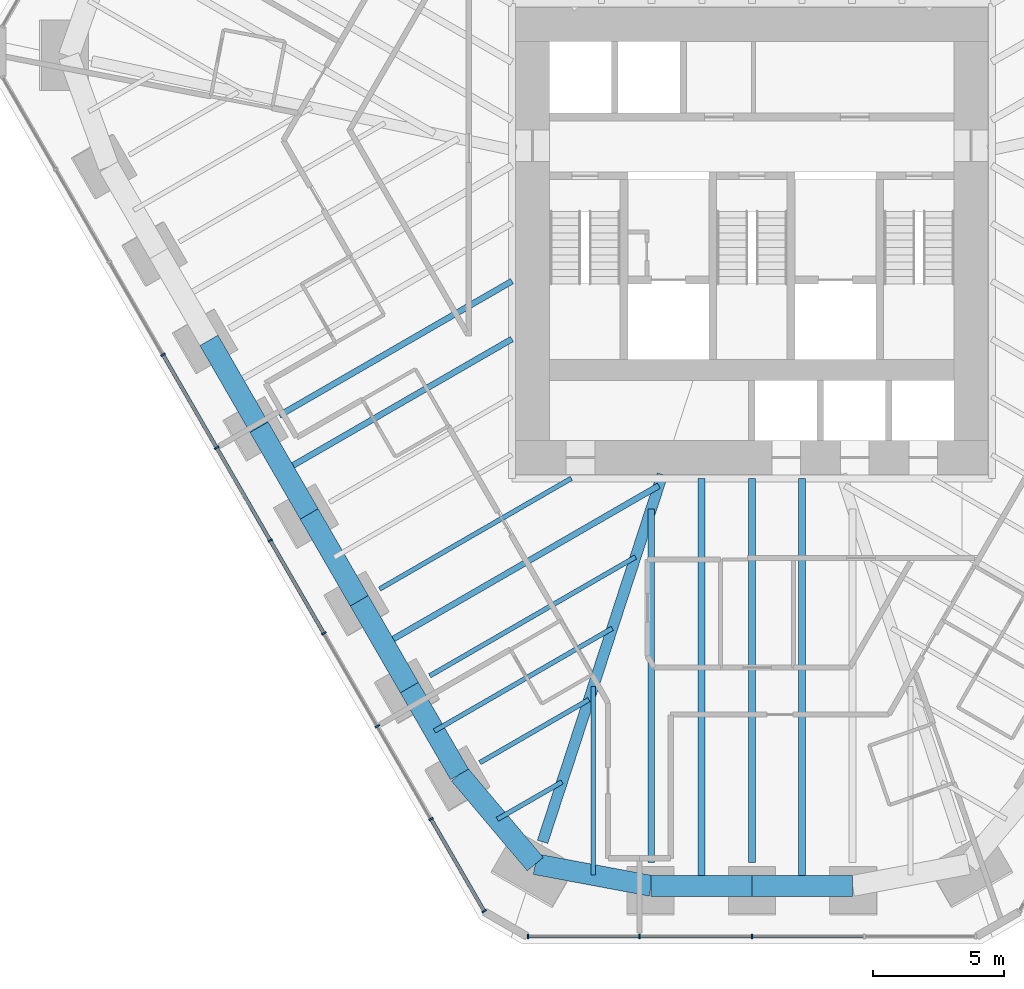
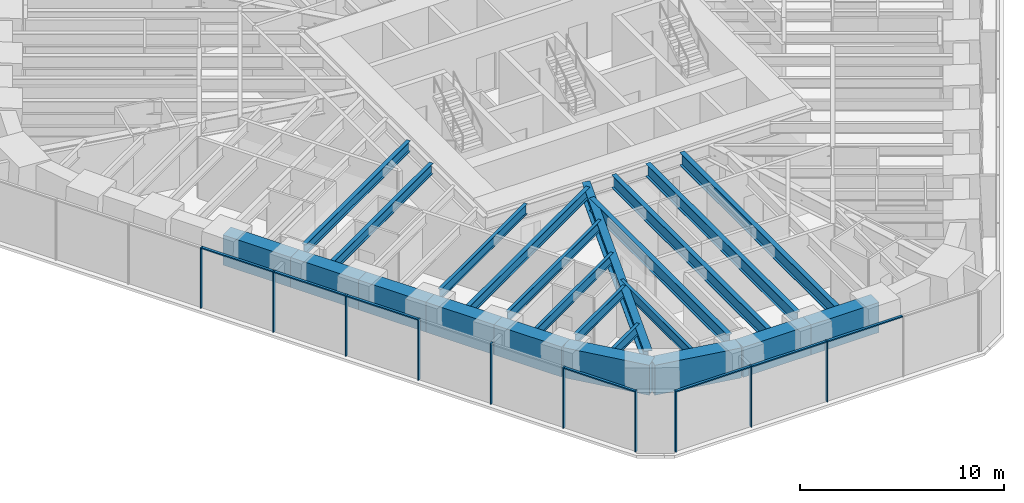
# One storey, part 2 of 18: 23 beams, 17 members, 2 elements without a shape of their own.
"""IFC4 building model written with IfcOpenShell, lengths in metres."""

from ifc_helpers import new_model, si_unit, direction, frame, origin, origin_2d, place, context, subcontext, project, spatial, rectangle, i_section, extrude, material, material_profile, profile_set, type_object, element, aggregate, save


model = new_model("IFC4")

# Units and contexts
model_context = context("Model", 3, precision=1e-05, world=origin(), true_north=direction((0.0, 1.0)))
body_context = subcontext(model_context, "Body", "Model", "MODEL_VIEW")
ifc_project = project(units=[si_unit("LENGTHUNIT", "METRE"), si_unit("AREAUNIT", "SQUARE_METRE"), si_unit("VOLUMEUNIT", "CUBIC_METRE"), si_unit("PLANEANGLEUNIT", "RADIAN"), si_unit("MASSUNIT", "GRAM", prefix="KILO")], contexts=[model_context])

# Site, building, storey
site_placement = place(None, origin())
site = spatial("IfcSite", under=ifc_project, at=site_placement, CompositionType="ELEMENT")
building_placement = place(site_placement, origin())
building = spatial("IfcBuilding", under=site, at=building_placement, Name="Sandreach Pilgrim Tower", CompositionType="ELEMENT")
storey_placement = place(building_placement, frame((0.0, 0.0, 157.60009765625)))
storey = spatial("IfcBuildingStorey", under=building, at=storey_placement, Name="L39", CompositionType="ELEMENT", Elevation=157.60009765625)

# Curtain wall, members
ifc_material_1 = material(Name="Aluminium framed curtain wall", Category="aluminium")
curtain_wall_type = type_object("IfcCurtainWallType", Name="Hotel tower curtain wall", PredefinedType="NOTDEFINED", material=ifc_material_1)
curtain_wall_1_placement = place(storey_placement, origin())
curtain_wall_1 = element("IfcCurtainWall", 1, at=curtain_wall_1_placement, inside=storey, type_object=curtain_wall_type, Name="CW-2 L39 S", PredefinedType="NOTDEFINED")
ifc_material_2 = material(Name="Aluminium extrusion", Category="aluminium")
ifc_material_profile_1 = material_profile(ifc_material_2, rectangle(XDim=0.06494140625, YDim=0.179931640625, at=origin_2d()), Name="CW-2M 65X180")
ifc_profile_set_1 = profile_set([ifc_material_profile_1], Name="Aluminium extrusion")
member_type_1 = type_object("IfcMemberType", Name="CW-2 mullion", PredefinedType="MULLION", material=ifc_profile_set_1)
member_1_placement = place(storey_placement, frame((0.0, -28.192138671875, 0.0), z_axis=(0.0, 0.0, 1.0), x_axis=(-1.0, 0.0, 0.0)))
member_1 = element("IfcMember", 2, at=member_1_placement, type_object=member_type_1, Name="CW-2 mullion 3", PredefinedType="MULLION", context=body_context, shape_type="SweptSolid", body=[
    extrude(rectangle(XDim=0.06494140625, YDim=0.179931640625, at=origin_2d()), origin(), (0.0, 0.0, 1.0), 3.639892578125),
])
member_2_placement = place(storey_placement, frame((-4.3056640625, -28.192138671875, 0.0), z_axis=(0.0, 0.0, 1.0), x_axis=(-1.0, 0.0, 0.0)))
member_2 = element("IfcMember", 3, at=member_2_placement, type_object=member_type_1, Name="CW-2 mullion 4", PredefinedType="MULLION", context=body_context, shape_type="SweptSolid", body=[
    extrude(rectangle(XDim=0.06494140625, YDim=0.179931640625, at=origin_2d()), origin(), (0.0, 0.0, 1.0), 3.639892578125),
])
member_3_placement = place(storey_placement, frame((-8.578857421875, -28.192138671875, 0.0), z_axis=(0.0, 0.0, 1.0), x_axis=(-1.0, 0.0, 0.0)))
member_3 = element("IfcMember", 4, at=member_3_placement, type_object=member_type_1, Name="CW-2 mullion 5", PredefinedType="MULLION", context=body_context, shape_type="SweptSolid", body=[
    extrude(rectangle(XDim=0.06494140625, YDim=0.179931640625, at=origin_2d()), origin(), (0.0, 0.0, 1.0), 3.639892578125),
])

curtain_wall_2_placement = place(storey_placement, origin())
curtain_wall_2 = element("IfcCurtainWall", 5, at=curtain_wall_2_placement, inside=storey, type_object=curtain_wall_type, Name="CW-2 L39 SW", PredefinedType="NOTDEFINED")
member_4_placement = place(storey_placement, frame((-10.255859375, -27.22412109375, 0.0), z_axis=(0.0, 0.0, 1.0), x_axis=(-0.5, 0.866025403784, 0.0)))
member_4 = element("IfcMember", 6, at=member_4_placement, type_object=member_type_1, Name="CW-2 mullion 1", PredefinedType="MULLION", context=body_context, shape_type="SweptSolid", body=[
    extrude(rectangle(XDim=0.06494140625, YDim=0.179931640625, at=origin_2d()), origin(), (0.0, 0.0, 1.0), 3.639892578125),
])
member_5_placement = place(storey_placement, frame((-12.29296875, -23.695556640625, 0.0), z_axis=(0.0, 0.0, 1.0), x_axis=(-0.5, 0.866025403784, 0.0)))
member_5 = element("IfcMember", 7, at=member_5_placement, type_object=member_type_1, Name="CW-2 mullion 2", PredefinedType="MULLION", context=body_context, shape_type="SweptSolid", body=[
    extrude(rectangle(XDim=0.06494140625, YDim=0.179931640625, at=origin_2d()), origin(), (0.0, 0.0, 1.0), 3.639892578125),
])
member_6_placement = place(storey_placement, frame((-14.346435546875, -20.138671875, 0.0), z_axis=(0.0, 0.0, 1.0), x_axis=(-0.5, 0.866025403784, 0.0)))
member_6 = element("IfcMember", 8, at=member_6_placement, type_object=member_type_1, Name="CW-2 mullion 3", PredefinedType="MULLION", context=body_context, shape_type="SweptSolid", body=[
    extrude(rectangle(XDim=0.06494140625, YDim=0.179931640625, at=origin_2d()), origin(), (0.0, 0.0, 1.0), 3.639892578125),
])
member_7_placement = place(storey_placement, frame((-16.39990234375, -16.58203125, 0.0), z_axis=(0.0, 0.0, 1.0), x_axis=(-0.5, 0.866025403784, 0.0)))
member_7 = element("IfcMember", 9, at=member_7_placement, type_object=member_type_1, Name="CW-2 mullion 4", PredefinedType="MULLION", context=body_context, shape_type="SweptSolid", body=[
    extrude(rectangle(XDim=0.06494140625, YDim=0.179931640625, at=origin_2d()), origin(), (0.0, 0.0, 1.0), 3.639892578125),
])
member_8_placement = place(storey_placement, frame((-18.453369140625, -13.025146484375, 0.0), z_axis=(0.0, 0.0, 1.0), x_axis=(-0.5, 0.866025403784, 0.0)))
member_8 = element("IfcMember", 10, at=member_8_placement, type_object=member_type_1, Name="CW-2 mullion 5", PredefinedType="MULLION", context=body_context, shape_type="SweptSolid", body=[
    extrude(rectangle(XDim=0.06494140625, YDim=0.179931640625, at=origin_2d()), origin(), (0.0, 0.0, 1.0), 3.639892578125),
])
member_9_placement = place(storey_placement, frame((-20.5068359375, -9.468505859375, 0.0), z_axis=(0.0, 0.0, 1.0), x_axis=(-0.5, 0.866025403784, 0.0)))
member_9 = element("IfcMember", 11, at=member_9_placement, type_object=member_type_1, Name="CW-2 mullion 6", PredefinedType="MULLION", context=body_context, shape_type="SweptSolid", body=[
    extrude(rectangle(XDim=0.06494140625, YDim=0.179931640625, at=origin_2d()), origin(), (0.0, 0.0, 1.0), 3.639892578125),
])
member_10_placement = place(storey_placement, frame((-22.560302734375, -5.911865234375, 0.0), z_axis=(0.0, 0.0, 1.0), x_axis=(-0.5, 0.866025403784, 0.0)))
member_10 = element("IfcMember", 12, at=member_10_placement, type_object=member_type_1, Name="CW-2 mullion 7", PredefinedType="MULLION", context=body_context, shape_type="SweptSolid", body=[
    extrude(rectangle(XDim=0.06494140625, YDim=0.179931640625, at=origin_2d()), origin(), (0.0, 0.0, 1.0), 3.639892578125),
])

# Member
ifc_material_3 = material(Name="Aluminium extrusion", Category="aluminium")
ifc_material_profile_2 = material_profile(ifc_material_3, rectangle(XDim=0.139892578125, YDim=0.070068359375, at=origin_2d()), Name="CW-2T 140X70")
ifc_profile_set_2 = profile_set([ifc_material_profile_2], Name="Aluminium extrusion")
member_type_2 = type_object("IfcMemberType", Name="CW-2 transom", PredefinedType="USERDEFINED", material=ifc_profile_set_2)
member_11_placement = place(storey_placement, frame((4.273193359375, -28.192138671875, 3.60498046875), z_axis=(-1.0, 0.0, 0.0), x_axis=(0.0, -1.0, 0.0)))
member_11 = element("IfcMember", 13, at=member_11_placement, type_object=member_type_2, Name="CW-2 head transom 2", ObjectType="TRANSOM", PredefinedType="USERDEFINED", context=body_context, shape_type="SweptSolid", body=[
    extrude(rectangle(XDim=0.139892578125, YDim=0.070068359375, at=origin_2d()), origin(), (0.0, 0.0, 1.0), 4.24072265625),
])

member_12_placement = place(storey_placement, frame((-0.032470703125, -28.192138671875, 3.60498046875), z_axis=(-1.0, 0.0, 0.0), x_axis=(0.0, -1.0, 0.0)))
member_12 = element("IfcMember", 14, at=member_12_placement, type_object=member_type_2, Name="CW-2 head transom 3", ObjectType="TRANSOM", PredefinedType="USERDEFINED", context=body_context, shape_type="SweptSolid", body=[
    extrude(rectangle(XDim=0.139892578125, YDim=0.070068359375, at=origin_2d()), origin(), (0.0, 0.0, 1.0), 4.24072265625),
])

member_13_placement = place(storey_placement, frame((-4.338134765625, -28.192138671875, 3.60498046875), z_axis=(-1.0, 0.0, 0.0), x_axis=(0.0, -1.0, 0.0)))
member_13 = element("IfcMember", 15, at=member_13_placement, type_object=member_type_2, Name="CW-2 head transom 4", ObjectType="TRANSOM", PredefinedType="USERDEFINED", context=body_context, shape_type="SweptSolid", body=[
    extrude(rectangle(XDim=0.139892578125, YDim=0.070068359375, at=origin_2d()), origin(), (0.0, 0.0, 1.0), 4.208251953125),
])

aggregate(curtain_wall_1, [member_1, member_2, member_3, member_11, member_12, member_13])

member_14_placement = place(storey_placement, frame((-10.27197265625, -27.196044921875, 3.60498046875), z_axis=(-0.500015851672, 0.866016251624, 0.0), x_axis=(-0.866016251624, -0.500015851672, 0.0)))
member_14 = element("IfcMember", 16, at=member_14_placement, type_object=member_type_2, Name="CW-2 head transom 1", ObjectType="TRANSOM", PredefinedType="USERDEFINED", context=body_context, shape_type="SweptSolid", body=[
    extrude(rectangle(XDim=0.139892578125, YDim=0.070068359375, at=origin_2d()), origin(), (0.0, 0.0, 1.0), 4.009521484375),
])

member_15_placement = place(storey_placement, frame((-16.416259765625, -16.553955078125, 3.60498046875), z_axis=(-0.499997818338, 0.866026663364, 0.0), x_axis=(-0.866026663364, -0.499997818338, 0.0)))
member_15 = element("IfcMember", 17, at=member_15_placement, type_object=member_type_2, Name="CW-2 head transom 4", ObjectType="TRANSOM", PredefinedType="USERDEFINED", context=body_context, shape_type="SweptSolid", body=[
    extrude(rectangle(XDim=0.139892578125, YDim=0.070068359375, at=origin_2d()), origin(), (0.0, 0.0, 1.0), 4.0419921875),
])

member_16_placement = place(storey_placement, frame((-18.4697265625, -12.9970703125, 3.60498046875), z_axis=(-0.499997818338, 0.866026663364, 0.0), x_axis=(-0.866026663364, -0.499997818338, 0.0)))
member_16 = element("IfcMember", 18, at=member_16_placement, type_object=member_type_2, Name="CW-2 head transom 5", ObjectType="TRANSOM", PredefinedType="USERDEFINED", context=body_context, shape_type="SweptSolid", body=[
    extrude(rectangle(XDim=0.139892578125, YDim=0.070068359375, at=origin_2d()), origin(), (0.0, 0.0, 1.0), 4.0419921875),
])

member_17_placement = place(storey_placement, frame((-20.523193359375, -9.4404296875, 3.60498046875), z_axis=(-0.499997818338, 0.866026663364, 0.0), x_axis=(-0.866026663364, -0.499997818338, 0.0)))
member_17 = element("IfcMember", 19, at=member_17_placement, type_object=member_type_2, Name="CW-2 head transom 6", ObjectType="TRANSOM", PredefinedType="USERDEFINED", context=body_context, shape_type="SweptSolid", body=[
    extrude(rectangle(XDim=0.139892578125, YDim=0.070068359375, at=origin_2d()), origin(), (0.0, 0.0, 1.0), 4.0419921875),
])

aggregate(curtain_wall_2, [member_4, member_5, member_6, member_7, member_8, member_9, member_10, member_14, member_15, member_16, member_17])

# Beams
ifc_material_4 = material(Name="Steel ASTM A992 Grade 50", Category="steel")
ifc_material_profile_3 = material_profile(ifc_material_4, i_section(OverallWidth=0.419189453125, OverallDepth=0.927001953125, WebThickness=0.019287109375, FlangeThickness=0.031982421875, at=origin_2d()), Name="W36X231")
ifc_profile_set_3 = profile_set([ifc_material_profile_3], Name="Steel ASTM A992 Grade 50")
beam_type_1 = type_object("IfcBeamType", Name="Corner girder W36X231", PredefinedType="BEAM", material=ifc_profile_set_3)
beam_1_placement = place(storey_placement, frame((-8.0205078125, -24.57080078125, 3.17626953125), z_axis=(0.310308394945, 0.950635945053, 0.0), x_axis=(-0.950635945053, 0.310308394945, 0.0)))
element("IfcBeam", 20, at=beam_1_placement, inside=storey, type_object=beam_type_1, Name="BM L39 CG26", PredefinedType="BEAM", context=body_context, shape_type="SweptSolid", body=[
    extrude(i_section(OverallWidth=0.419189453125, OverallDepth=0.927001953125, WebThickness=0.019287109375, FlangeThickness=0.031982421875, at=origin_2d()), origin(), (0.0, 0.0, 1.0), 14.801513671875),
])
ifc_material_5 = material(Name="Steel ASTM A992 Grade 50", Category="steel")
ifc_material_profile_4 = material_profile(ifc_material_5, i_section(OverallWidth=0.1787109375, OverallDepth=0.60205078125, WebThickness=0.010986328125, FlangeThickness=0.014892578125, at=origin_2d()), Name="W24X62")
ifc_profile_set_4 = profile_set([ifc_material_profile_4], Name="Steel ASTM A992 Grade 50")
beam_type_2 = type_object("IfcBeamType", Name="Floor beam W24X62", PredefinedType="BEAM", material=ifc_profile_set_4)
beam_2_placement = place(storey_placement, frame((-10.4228515625, -21.536376953125, 3.3388671875), z_axis=(0.866037360815, 0.499979289244, 0.0), x_axis=(-0.499979289244, 0.866037360815, 0.0)))
element("IfcBeam", 21, at=beam_2_placement, inside=storey, type_object=beam_type_2, Name="BM L39 F27", PredefinedType="BEAM", context=body_context, shape_type="SweptSolid", body=[
    extrude(i_section(OverallWidth=0.1787109375, OverallDepth=0.60205078125, WebThickness=0.010986328125, FlangeThickness=0.014892578125, at=origin_2d()), origin(), (0.0, 0.0, 1.0), 4.827392578125),
])
beam_3_placement = place(storey_placement, frame((-12.3427734375, -18.2109375, 3.3388671875), z_axis=(0.866029726416, 0.499992512907, 0.0), x_axis=(-0.499992512907, 0.866029726416, 0.0)))
element("IfcBeam", 22, at=beam_3_placement, inside=storey, type_object=beam_type_2, Name="BM L39 F28", PredefinedType="BEAM", context=body_context, shape_type="SweptSolid", body=[
    extrude(i_section(OverallWidth=0.1787109375, OverallDepth=0.60205078125, WebThickness=0.010986328125, FlangeThickness=0.014892578125, at=origin_2d()), origin(), (0.0, 0.0, 1.0), 9.103759765625),
])
beam_4_placement = place(storey_placement, frame((-14.2626953125, -14.885498046875, 3.3388671875), z_axis=(0.866024577697, 0.500001430823, 0.0), x_axis=(-0.500001430823, 0.866024577697, 0.0)))
element("IfcBeam", 23, at=beam_4_placement, inside=storey, type_object=beam_type_2, Name="BM L39 F29", PredefinedType="BEAM", context=body_context, shape_type="SweptSolid", body=[
    extrude(i_section(OverallWidth=0.1787109375, OverallDepth=0.60205078125, WebThickness=0.010986328125, FlangeThickness=0.014892578125, at=origin_2d()), origin(), (0.0, 0.0, 1.0), 8.484375),
])
beam_5_placement = place(storey_placement, frame((-6.078125, -25.84228515625, 3.3388671875), z_axis=(0.0, 1.0, 0.0), x_axis=(-1.0, 0.0, 0.0)))
element("IfcBeam", 24, at=beam_5_placement, inside=storey, type_object=beam_type_2, Name="BM L39 FM25", PredefinedType="BEAM", context=body_context, shape_type="SweptSolid", body=[
    extrude(i_section(OverallWidth=0.1787109375, OverallDepth=0.60205078125, WebThickness=0.010986328125, FlangeThickness=0.014892578125, at=origin_2d()), origin(), (0.0, 0.0, 1.0), 7.222412109375),
])
beam_6_placement = place(storey_placement, frame((-9.7509765625, -23.706298828125, 3.3388671875), z_axis=(0.866052132345, 0.499953701917, 0.0), x_axis=(-0.499953701917, 0.866052132345, 0.0)))
element("IfcBeam", 25, at=beam_6_placement, inside=storey, type_object=beam_type_2, Name="BM L39 FM26", PredefinedType="BEAM", context=body_context, shape_type="SweptSolid", body=[
    extrude(i_section(OverallWidth=0.1787109375, OverallDepth=0.60205078125, WebThickness=0.010986328125, FlangeThickness=0.014892578125, at=origin_2d()), origin(), (0.0, 0.0, 1.0), 2.863525390625),
])
beam_7_placement = place(storey_placement, frame((-12.162109375, -20.32373046875, 3.3388671875), z_axis=(0.866020697766, 0.500008150974, 0.0), x_axis=(-0.500008150974, 0.866020697766, 0.0)))
element("IfcBeam", 26, at=beam_7_placement, inside=storey, type_object=beam_type_2, Name="BM L39 FM27", PredefinedType="BEAM", context=body_context, shape_type="SweptSolid", body=[
    extrude(i_section(OverallWidth=0.1787109375, OverallDepth=0.60205078125, WebThickness=0.010986328125, FlangeThickness=0.014892578125, at=origin_2d()), origin(), (0.0, 0.0, 1.0), 7.865478515625),
])
ifc_material_6 = material(Name="Steel ASTM A992 Grade 50", Category="steel")
ifc_material_profile_5 = material_profile(ifc_material_6, i_section(OverallWidth=0.23046875, OverallDepth=0.6171875, WebThickness=0.01318359375, FlangeThickness=0.022216796875, at=origin_2d()), Name="W24X94")
ifc_profile_set_5 = profile_set([ifc_material_profile_5], Name="Steel ASTM A992 Grade 50")
beam_type_3 = type_object("IfcBeamType", Name="Floor beam W24X94", PredefinedType="BEAM", material=ifc_profile_set_5)
beam_8_placement = place(storey_placement, frame((-18.1025390625, -8.234619140625, 3.331298828125), z_axis=(0.866021971758, 0.500005944398, 0.0), x_axis=(-0.500005944398, 0.866021971758, 0.0)))
element("IfcBeam", 27, at=beam_8_placement, inside=storey, type_object=beam_type_3, Name="BM L39 F31", PredefinedType="BEAM", context=body_context, shape_type="SweptSolid", body=[
    extrude(i_section(OverallWidth=0.23046875, OverallDepth=0.6171875, WebThickness=0.01318359375, FlangeThickness=0.022216796875, at=origin_2d()), origin(), (0.0, 0.0, 1.0), 10.287353515625),
])
beam_9_placement = place(storey_placement, frame((-14.082275390625, -16.998291015625, 3.331298828125), z_axis=(0.8660258691, 0.499999194049, 0.0), x_axis=(-0.499999194049, 0.8660258691, 0.0)))
element("IfcBeam", 28, at=beam_9_placement, inside=storey, type_object=beam_type_3, Name="BM L39 FM28", PredefinedType="BEAM", context=body_context, shape_type="SweptSolid", body=[
    extrude(i_section(OverallWidth=0.23046875, OverallDepth=0.6171875, WebThickness=0.01318359375, FlangeThickness=0.022216796875, at=origin_2d()), origin(), (0.0, 0.0, 1.0), 12.14208984375),
])
beam_10_placement = place(storey_placement, frame((-17.922119140625, -10.347412109375, 3.331298828125), z_axis=(0.866025447568, 0.499999924165, 0.0), x_axis=(-0.499999924165, 0.866025447568, 0.0)))
element("IfcBeam", 29, at=beam_10_placement, inside=storey, type_object=beam_type_3, Name="BM L39 FM30", PredefinedType="BEAM", context=body_context, shape_type="SweptSolid", body=[
    extrude(i_section(OverallWidth=0.23046875, OverallDepth=0.6171875, WebThickness=0.01318359375, FlangeThickness=0.022216796875, at=origin_2d()), origin(), (0.0, 0.0, 1.0), 10.0791015625),
])
ifc_material_7 = material(Name="Steel ASTM A992 Grade 50", Category="steel")
ifc_material_profile_6 = material_profile(ifc_material_7, i_section(OverallWidth=0.2666015625, OverallDepth=0.761962890625, WebThickness=0.014404296875, FlangeThickness=0.021484375, at=origin_2d()), Name="W30X116")
ifc_profile_set_6 = profile_set([ifc_material_profile_6], Name="Steel ASTM A992 Grade 50")
beam_type_4 = type_object("IfcBeamType", Name="Floor beam W30X116", PredefinedType="BEAM", material=ifc_profile_set_6)
beam_11_placement = place(storey_placement, frame((0.0, -25.3583984375, 3.2587890625), z_axis=(0.0, 1.0, 0.0), x_axis=(-1.0, 0.0, 0.0)))
element("IfcBeam", 30, at=beam_11_placement, inside=storey, type_object=beam_type_4, Name="BM L39 F24", PredefinedType="BEAM", context=body_context, shape_type="SweptSolid", body=[
    extrude(i_section(OverallWidth=0.2666015625, OverallDepth=0.761962890625, WebThickness=0.014404296875, FlangeThickness=0.021484375, at=origin_2d()), origin(), (0.0, 0.0, 1.0), 14.715087890625),
])
beam_12_placement = place(storey_placement, frame((-3.856201171875, -25.3583984375, 3.2587890625), z_axis=(0.0, 1.0, 0.0), x_axis=(-1.0, 0.0, 0.0)))
element("IfcBeam", 31, at=beam_12_placement, inside=storey, type_object=beam_type_4, Name="BM L39 F25", PredefinedType="BEAM", context=body_context, shape_type="SweptSolid", body=[
    extrude(i_section(OverallWidth=0.2666015625, OverallDepth=0.761962890625, WebThickness=0.014404296875, FlangeThickness=0.021484375, at=origin_2d()), origin(), (0.0, 0.0, 1.0), 13.544921875),
])
ifc_material_8 = material(Name="Steel ASTM A992 Grade 50", Category="steel")
ifc_material_profile_7 = material_profile(ifc_material_8, i_section(OverallWidth=0.2666015625, OverallDepth=0.77978515625, WebThickness=0.0166015625, FlangeThickness=0.030029296875, at=origin_2d()), Name="W30X148")
ifc_profile_set_7 = profile_set([ifc_material_profile_7], Name="Steel ASTM A992 Grade 50")
beam_type_5 = type_object("IfcBeamType", Name="Floor beam W30X148", PredefinedType="BEAM", material=ifc_profile_set_7)
for number, where, z_axis, x_axis, name in (
    (32, (1.92822265625, -26.25830078125, 3.25), (0.0, 1.0, 0.0), (-1.0, 0.0, 0.0), "BM L39 FM23"),
    (33, (-1.92822265625, -26.25830078125, 3.25), (0.0, 1.0, 0.0), (-1.0, 0.0, 0.0), "BM L39 FM24"),
):
    element("IfcBeam", number, at=place(storey_placement, frame(where, z_axis=z_axis, x_axis=x_axis)), inside=storey, type_object=beam_type_5, Name=name, PredefinedType="BEAM", context=body_context, shape_type="SweptSolid", body=[
        extrude(i_section(OverallWidth=0.2666015625, OverallDepth=0.77978515625, WebThickness=0.0166015625, FlangeThickness=0.030029296875, at=origin_2d()), origin(), (0.0, 0.0, 1.0), 15.614990234375),
    ])
ifc_material_9 = material(Name="Concrete 10000 psi", Category="concrete")
ifc_material_profile_8 = material_profile(ifc_material_9, rectangle(XDim=0.800048828125, YDim=1.800048828125, at=origin_2d()), Name="RC800X1800")
ifc_profile_set_8 = profile_set([ifc_material_profile_8], Name="Concrete 10000 psi")
beam_type_6 = type_object("IfcBeamType", Name="Spandrel beam RC800X1800", PredefinedType="SPANDREL", material=ifc_profile_set_8)
for number, where, z_axis, x_axis, name in (
    (34, (3.856201171875, -26.25830078125, 2.739990234375), (-1.0, 0.0, 0.0), (0.0, -1.0, 0.0), "BM L39 SP23"),
    (35, (0.0, -26.25830078125, 2.739990234375), (-1.0, 0.0, 0.0), (0.0, -1.0, 0.0), "BM L39 SP24"),
):
    element("IfcBeam", number, at=place(storey_placement, frame(where, z_axis=z_axis, x_axis=x_axis)), inside=storey, type_object=beam_type_6, Name=name, PredefinedType="SPANDREL", context=body_context, shape_type="SweptSolid", body=[
        extrude(rectangle(XDim=0.800048828125, YDim=1.800048828125, at=origin_2d()), origin(), (0.0, 0.0, 1.0), 3.856201171875),
    ])
beam_13_placement = place(storey_placement, frame((-3.856201171875, -26.25830078125, 2.739990234375), z_axis=(-0.982918008555, 0.184043985119, 0.0), x_axis=(-0.184043985119, -0.982918008555, 0.0)))
element("IfcBeam", 36, at=beam_13_placement, inside=storey, type_object=beam_type_6, Name="BM L39 SP25", PredefinedType="SPANDREL", context=body_context, shape_type="SweptSolid", body=[
    extrude(rectangle(XDim=0.800048828125, YDim=1.800048828125, at=origin_2d()), origin(), (0.0, 0.0, 1.0), 4.520751953125),
])
beam_14_placement = place(storey_placement, frame((-8.2998046875, -25.42626953125, 2.739990234375), z_axis=(-0.64485707631, 0.764303180115, 0.0), x_axis=(-0.764303180115, -0.64485707631, 0.0)))
element("IfcBeam", 37, at=beam_14_placement, inside=storey, type_object=beam_type_6, Name="BM L39 SP26", PredefinedType="SPANDREL", context=body_context, shape_type="SweptSolid", body=[
    extrude(rectangle(XDim=0.800048828125, YDim=1.800048828125, at=origin_2d()), origin(), (0.0, 0.0, 1.0), 4.500732421875),
])
beam_15_placement = place(storey_placement, frame((-11.2021484375, -21.986328125, 2.739990234375), z_axis=(-0.499995802899, 0.866027826969, 0.0), x_axis=(-0.866027826969, -0.499995802899, 0.0)))
element("IfcBeam", 38, at=beam_15_placement, inside=storey, type_object=beam_type_6, Name="BM L39 SP27", PredefinedType="SPANDREL", context=body_context, shape_type="SweptSolid", body=[
    extrude(rectangle(XDim=0.800048828125, YDim=1.800048828125, at=origin_2d()), origin(), (0.0, 0.0, 1.0), 3.83984375),
])
beam_16_placement = place(storey_placement, frame((-13.1220703125, -18.660888671875, 2.739990234375), z_axis=(-0.500043486147, 0.86600029559, 0.0), x_axis=(-0.86600029559, -0.500043486147, 0.0)))
element("IfcBeam", 39, at=beam_16_placement, inside=storey, type_object=beam_type_6, Name="BM L39 SP28", PredefinedType="SPANDREL", context=body_context, shape_type="SweptSolid", body=[
    extrude(rectangle(XDim=0.800048828125, YDim=1.800048828125, at=origin_2d()), origin(), (0.0, 0.0, 1.0), 3.840087890625),
])
for number, where, z_axis, x_axis, name in (
    (40, (-15.042236328125, -15.33544921875, 2.739990234375), (-0.499995802899, 0.866027826969, 0.0), (-0.866027826969, -0.499995802899, 0.0), "BM L39 SP29"),
    (41, (-16.962158203125, -12.010009765625, 2.739990234375), (-0.499995802899, 0.866027826969, 0.0), (-0.866027826969, -0.499995802899, 0.0), "BM L39 SP30"),
    (42, (-18.882080078125, -8.6845703125, 2.739990234375), (-0.499995802899, 0.866027826969, 0.0), (-0.866027826969, -0.499995802899, 0.0), "BM L39 SP31"),
):
    element("IfcBeam", number, at=place(storey_placement, frame(where, z_axis=z_axis, x_axis=x_axis)), inside=storey, type_object=beam_type_6, Name=name, PredefinedType="SPANDREL", context=body_context, shape_type="SweptSolid", body=[
        extrude(rectangle(XDim=0.800048828125, YDim=1.800048828125, at=origin_2d()), origin(), (0.0, 0.0, 1.0), 3.83984375),
    ])

save(model, "model.ifc")
